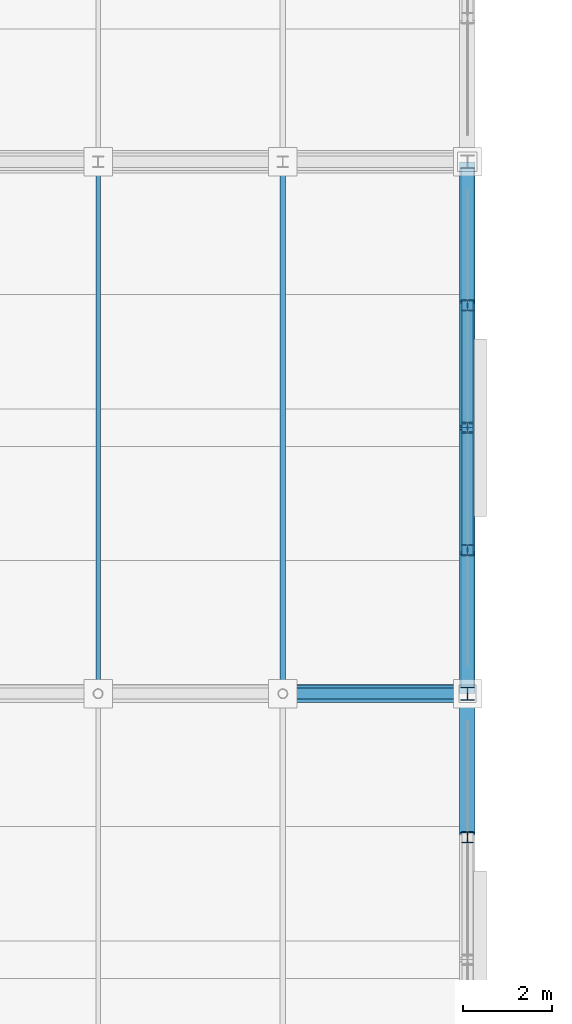
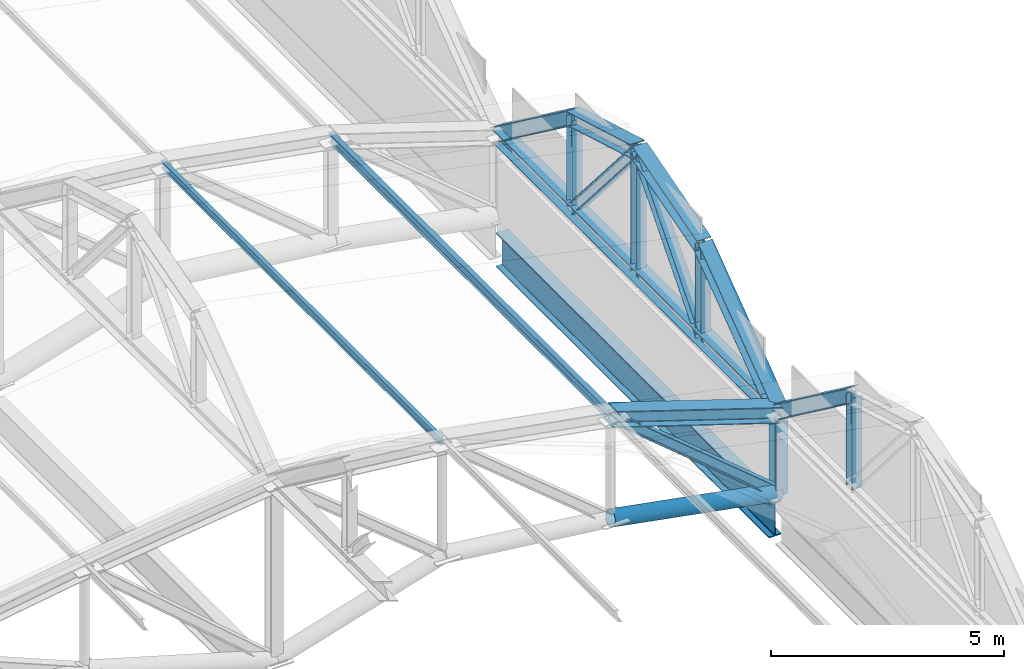
# One storey, part 67 of 117: 18 members, 1 beam.
"""IFC4 building model written with IfcOpenShell, lengths in metres."""

from ifc_helpers import new_model, si_unit, direction, frame, origin, origin_2d, place, context, subcontext, project, spatial, hollow_circle, i_section, extrude, material, material_profile, profile_set, type_object, element, save


model = new_model("IFC4")

# Units and contexts
model_context = context("Model", 3, precision=1e-05, world=origin(), true_north=direction((0.0, 1.0)))
body_context = subcontext(model_context, "Body", "Model", "MODEL_VIEW")
ifc_project = project(units=[si_unit("LENGTHUNIT", "METRE"), si_unit("AREAUNIT", "SQUARE_METRE"), si_unit("VOLUMEUNIT", "CUBIC_METRE"), si_unit("PLANEANGLEUNIT", "RADIAN"), si_unit("MASSUNIT", "GRAM", prefix="KILO")], contexts=[model_context])

# Site, building, storey
site_placement = place(None, origin())
site = spatial("IfcSite", under=ifc_project, at=site_placement, CompositionType="ELEMENT")
building_placement = place(site_placement, origin())
building = spatial("IfcBuilding", under=site, at=building_placement, Name="Kazenohara Klinker Stadium", CompositionType="ELEMENT")
storey_placement = place(building_placement, frame((0.0, 0.0, 31.199951171875)))
storey = spatial("IfcBuildingStorey", under=building, at=storey_placement, Name="RF", CompositionType="ELEMENT", Elevation=31.199951171875)

# Members
ifc_material = material(Name="Steel S355", Category="steel")
ifc_material_profile_1 = material_profile(ifc_material, i_section(OverallWidth=0.25, OverallDepth=0.25, WebThickness=0.009033203125, FlangeThickness=0.013916015625, FilletRadius=0.012939453125, at=origin_2d()), Name="H-250x250x9x14")
ifc_profile_set_1 = profile_set([ifc_material_profile_1], Name="Steel S355")
member_type_1 = type_object("IfcMemberType", Name="MEM-BRC02", PredefinedType="BRACE", material=ifc_profile_set_1)
member_1_placement = place(storey_placement, frame((187.5, 96.0, -0.02001953125), z_axis=(-0.76843159807, 0.0, 0.639931933168), x_axis=(0.0, -1.0, 0.0)))
element("IfcMember", 1, at=member_1_placement, inside=storey, type_object=member_type_1, Name="ROOF TRUSS RT-E05 web diagonal 1", PredefinedType="BRACE", context=body_context, shape_type="SweptSolid", body=[
    extrude(i_section(OverallWidth=0.25, OverallDepth=0.25, WebThickness=0.009033203125, FlangeThickness=0.013916015625, FilletRadius=0.012939453125, at=origin_2d()), origin(), (0.0, 0.0, 1.0), 5.42236328125),
])
ifc_material_profile_2 = material_profile(ifc_material, i_section(OverallWidth=0.39990234375, OverallDepth=0.39990234375, WebThickness=0.012939453125, FlangeThickness=0.02099609375, FilletRadius=0.02197265625, at=origin_2d()), Name="H-400x400x13x21")
ifc_profile_set_2 = profile_set([ifc_material_profile_2], Name="Steel S355")
member_type_2 = type_object("IfcMemberType", Name="MEM-CHD01", PredefinedType="CHORD", material=ifc_profile_set_2)
member_2_placement = place(storey_placement, frame((187.5, 96.0, 2.10009765625), z_axis=(-0.951324890397, 0.0, 0.308189800141), x_axis=(0.0, -1.0, 0.0)))
element("IfcMember", 2, at=member_2_placement, inside=storey, type_object=member_type_2, Name="ROOF TRUSS RT-E05 top arched chord 1", PredefinedType="CHORD", context=body_context, shape_type="SweptSolid", body=[
    extrude(i_section(OverallWidth=0.39990234375, OverallDepth=0.39990234375, WebThickness=0.012939453125, FlangeThickness=0.02099609375, FilletRadius=0.02197265625, at=origin_2d()), origin(), (0.0, 0.0, 1.0), 4.3798828125),
])
ifc_material_profile_3 = material_profile(ifc_material, i_section(OverallWidth=0.35009765625, OverallDepth=0.35009765625, WebThickness=0.011962890625, FlangeThickness=0.01904296875, FilletRadius=0.012939453125, at=origin_2d()), Name="H-350x350x12x19")
ifc_profile_set_3 = profile_set([ifc_material_profile_3], Name="Steel S355")
member_type_3 = type_object("IfcMemberType", Name="MEM-CHD02", PredefinedType="CHORD", material=ifc_profile_set_3)
member_3_placement = place(storey_placement, frame((187.5, 92.760009765625, 4.5), z_axis=(0.0, 0.803567919639, -0.595213069856), x_axis=(-1.0, 0.0, 0.0)))
element("IfcMember", 3, at=member_3_placement, inside=storey, type_object=member_type_3, Name="Barrel arch top rib TC02 E-04-N0-S4", PredefinedType="CHORD", context=body_context, shape_type="SweptSolid", body=[
    extrude(i_section(OverallWidth=0.35009765625, OverallDepth=0.35009765625, WebThickness=0.011962890625, FlangeThickness=0.01904296875, FilletRadius=0.012939453125, at=origin_2d()), origin(), (0.0, 0.0, 1.0), 4.031982421875),
])
member_4_placement = place(storey_placement, frame((187.5, 96.0, 2.10009765625), z_axis=(0.0, 1.0, 0.0), x_axis=(-1.0, 0.0, 0.0)))
element("IfcMember", 4, at=member_4_placement, inside=storey, type_object=member_type_3, Name="Barrel arch tie chord TC02 E-05-N0", PredefinedType="CHORD", context=body_context, shape_type="SweptSolid", body=[
    extrude(i_section(OverallWidth=0.35009765625, OverallDepth=0.35009765625, WebThickness=0.011962890625, FlangeThickness=0.01904296875, FilletRadius=0.012939453125, at=origin_2d()), origin(), (0.0, 0.0, 1.0), 12.0),
])
member_5_placement = place(storey_placement, frame((187.5, 96.0, 2.10009765625), z_axis=(0.0, 0.803567919639, 0.595213069856), x_axis=(-1.0, 0.0, 0.0)))
element("IfcMember", 5, at=member_5_placement, inside=storey, type_object=member_type_3, Name="Barrel arch top rib TC02 E-05-N0-S1", PredefinedType="CHORD", context=body_context, shape_type="SweptSolid", body=[
    extrude(i_section(OverallWidth=0.35009765625, OverallDepth=0.35009765625, WebThickness=0.011962890625, FlangeThickness=0.01904296875, FilletRadius=0.012939453125, at=origin_2d()), origin(), (0.0, 0.0, 1.0), 4.031982421875),
])
for number, where, z_axis, x_axis, name in (
    (6, (187.5, 99.239990234375, 4.5), (0.0, 0.960462085918, 0.27841081429), (-1.0, 0.0, 0.0), "Barrel arch top rib TC02 E-05-N0-S2"),
    (7, (187.5, 102.0, 5.300048828125), (0.0, 0.960462085918, -0.27841081429), (-1.0, 0.0, 0.0), "Barrel arch top rib TC02 E-05-N0-S3"),
):
    element("IfcMember", number, at=place(storey_placement, frame(where, z_axis=z_axis, x_axis=x_axis)), inside=storey, type_object=member_type_3, Name=name, PredefinedType="CHORD", context=body_context, shape_type="SweptSolid", body=[
        extrude(i_section(OverallWidth=0.35009765625, OverallDepth=0.35009765625, WebThickness=0.011962890625, FlangeThickness=0.01904296875, FilletRadius=0.012939453125, at=origin_2d()), origin(), (0.0, 0.0, 1.0), 2.87353515625),
    ])
member_6_placement = place(storey_placement, frame((187.5, 104.760009765625, 4.5), z_axis=(0.0, 0.803567919639, -0.595213069856), x_axis=(-1.0, 0.0, 0.0)))
element("IfcMember", 8, at=member_6_placement, inside=storey, type_object=member_type_3, Name="Barrel arch top rib TC02 E-05-N0-S4", PredefinedType="CHORD", context=body_context, shape_type="SweptSolid", body=[
    extrude(i_section(OverallWidth=0.35009765625, OverallDepth=0.35009765625, WebThickness=0.011962890625, FlangeThickness=0.01904296875, FilletRadius=0.012939453125, at=origin_2d()), origin(), (0.0, 0.0, 1.0), 4.031982421875),
])
ifc_material_profile_4 = material_profile(ifc_material, hollow_circle(Radius=0.203125, WallThickness=0.011962890625, at=origin_2d()), Name="CHS-406.4x12")
ifc_profile_set_4 = profile_set([ifc_material_profile_4], Name="Steel S355")
member_type_4 = type_object("IfcMemberType", Name="MEM-CHD03", PredefinedType="CHORD", material=ifc_profile_set_4)
member_7_placement = place(storey_placement, frame((187.5, 96.0, -0.02001953125), z_axis=(-0.983349564566, 0.0, 0.181724059685), x_axis=(0.0, -1.0, 0.0)))
element("IfcMember", 9, at=member_7_placement, inside=storey, type_object=member_type_4, Name="ROOF TRUSS RT-E05 bottom arched chord 1", PredefinedType="CHORD", context=body_context, shape_type="SweptSolid", body=[
    extrude(hollow_circle(Radius=0.203125, WallThickness=0.011962890625, at=origin_2d()), origin(), (0.0, 0.0, 1.0), 4.2373046875),
])
ifc_material_profile_5 = material_profile(ifc_material, i_section(OverallWidth=0.125, OverallDepth=0.25, WebThickness=0.006103515625, FlangeThickness=0.009033203125, FilletRadius=0.008056640625, at=origin_2d()), Name="H-250x125x6x9")
ifc_profile_set_5 = profile_set([ifc_material_profile_5], Name="Steel S355")
member_type_5 = type_object("IfcMemberType", Name="MEM-PUR01", PredefinedType="PURLIN", material=ifc_profile_set_5)
member_8_placement = place(storey_placement, frame((183.333251953125, 96.0, 3.469970703125), z_axis=(0.0, 1.0, 0.0), x_axis=(-1.0, 0.0, 0.0)))
element("IfcMember", 10, at=member_8_placement, inside=storey, type_object=member_type_5, Name="Canopy valley tie purlin PR01 E-05-N1", PredefinedType="PURLIN", context=body_context, shape_type="SweptSolid", body=[
    extrude(i_section(OverallWidth=0.125, OverallDepth=0.25, WebThickness=0.006103515625, FlangeThickness=0.009033203125, FilletRadius=0.008056640625, at=origin_2d()), origin(), (0.0, 0.0, 1.0), 12.0),
])
ifc_material_profile_6 = material_profile(ifc_material, i_section(OverallWidth=0.10009765625, OverallDepth=0.199951171875, WebThickness=0.005615234375, FlangeThickness=0.008056640625, FilletRadius=0.008056640625, at=origin_2d()), Name="H-200x100x5.5x8")
ifc_profile_set_6 = profile_set([ifc_material_profile_6], Name="Steel S355")
member_type_6 = type_object("IfcMemberType", Name="MEM-PUR02", PredefinedType="PURLIN", material=ifc_profile_set_6)
member_9_placement = place(storey_placement, frame((179.166748046875, 96.0, 4.219970703125), z_axis=(0.0, 1.0, 0.0), x_axis=(-1.0, 0.0, 0.0)))
element("IfcMember", 11, at=member_9_placement, inside=storey, type_object=member_type_6, Name="Canopy valley tie purlin PR02 E-05-N2", PredefinedType="PURLIN", context=body_context, shape_type="SweptSolid", body=[
    extrude(i_section(OverallWidth=0.10009765625, OverallDepth=0.199951171875, WebThickness=0.005615234375, FlangeThickness=0.008056640625, FilletRadius=0.008056640625, at=origin_2d()), origin(), (0.0, 0.0, 1.0), 12.0),
])
ifc_material_profile_7 = material_profile(ifc_material, i_section(OverallWidth=0.300048828125, OverallDepth=0.300048828125, WebThickness=0.010009765625, FlangeThickness=0.014892578125, FilletRadius=0.012939453125, at=origin_2d()), Name="H-300x300x10x15")
ifc_profile_set_7 = profile_set([ifc_material_profile_7], Name="Steel S355")
member_type_7 = type_object("IfcMemberType", Name="MEM-STR01", PredefinedType="STRUT", material=ifc_profile_set_7)
member_10_placement = place(storey_placement, frame((187.5, 96.0, -0.02001953125), z_axis=(0.0, 0.0, 1.0), x_axis=(1.0, 0.0, 0.0)))
element("IfcMember", 12, at=member_10_placement, inside=storey, type_object=member_type_7, Name="ROOF TRUSS RT-E05 web post 1", PredefinedType="STRUT", context=body_context, shape_type="SweptSolid", body=[
    extrude(i_section(OverallWidth=0.300048828125, OverallDepth=0.300048828125, WebThickness=0.010009765625, FlangeThickness=0.014892578125, FilletRadius=0.012939453125, at=origin_2d()), origin(), (0.0, 0.0, 1.0), 2.1201171875),
])
ifc_material_profile_8 = material_profile(ifc_material, i_section(OverallWidth=0.25, OverallDepth=0.25, WebThickness=0.009033203125, FlangeThickness=0.013916015625, FilletRadius=0.012939453125, at=origin_2d()), Name="H-250x250x9x14")
ifc_profile_set_8 = profile_set([ifc_material_profile_8], Name="Steel S355")
member_type_8 = type_object("IfcMemberType", Name="MEM-STR02", PredefinedType="STRUT", material=ifc_profile_set_8)
for number, where, z_axis, x_axis, name in (
    (13, (187.5, 92.760009765625, 2.10009765625), (0.0, 0.0, 1.0), (1.0, 0.0, 0.0), "Barrel arch web post TS02 E-04-N0-P3"),
    (14, (187.5, 99.239990234375, 2.10009765625), (0.0, 0.0, 1.0), (1.0, 0.0, 0.0), "Barrel arch web post TS02 E-05-N0-P1"),
):
    element("IfcMember", number, at=place(storey_placement, frame(where, z_axis=z_axis, x_axis=x_axis)), inside=storey, type_object=member_type_8, Name=name, PredefinedType="STRUT", context=body_context, shape_type="SweptSolid", body=[
        extrude(i_section(OverallWidth=0.25, OverallDepth=0.25, WebThickness=0.009033203125, FlangeThickness=0.013916015625, FilletRadius=0.012939453125, at=origin_2d()), origin(), (0.0, 0.0, 1.0), 2.39990234375),
    ])
member_11_placement = place(storey_placement, frame((187.5, 102.0, 2.10009765625), z_axis=(0.0, 0.0, 1.0), x_axis=(1.0, 0.0, 0.0)))
element("IfcMember", 15, at=member_11_placement, inside=storey, type_object=member_type_8, Name="Barrel arch web post TS02 E-05-N0-P2", PredefinedType="STRUT", context=body_context, shape_type="SweptSolid", body=[
    extrude(i_section(OverallWidth=0.25, OverallDepth=0.25, WebThickness=0.009033203125, FlangeThickness=0.013916015625, FilletRadius=0.012939453125, at=origin_2d()), origin(), (0.0, 0.0, 1.0), 3.199951171875),
])
member_12_placement = place(storey_placement, frame((187.5, 104.760009765625, 2.10009765625), z_axis=(0.0, 0.0, 1.0), x_axis=(1.0, 0.0, 0.0)))
element("IfcMember", 16, at=member_12_placement, inside=storey, type_object=member_type_8, Name="Barrel arch web post TS02 E-05-N0-P3", PredefinedType="STRUT", context=body_context, shape_type="SweptSolid", body=[
    extrude(i_section(OverallWidth=0.25, OverallDepth=0.25, WebThickness=0.009033203125, FlangeThickness=0.013916015625, FilletRadius=0.012939453125, at=origin_2d()), origin(), (0.0, 0.0, 1.0), 2.39990234375),
])
for number, where, z_axis, x_axis, name in (
    (17, (187.5, 99.239990234375, 2.10009765625), (0.0, 0.653133887971, 0.757242447558), (-1.0, 0.0, 0.0), "Barrel arch web diagonal TS02 E-05-N0-D1"),
    (18, (187.5, 104.760009765625, 2.10009765625), (0.0, -0.653133887971, 0.757242447558), (1.0, 0.0, 0.0), "Barrel arch web diagonal TS02 E-05-N0-D2"),
):
    element("IfcMember", number, at=place(storey_placement, frame(where, z_axis=z_axis, x_axis=x_axis)), inside=storey, type_object=member_type_8, Name=name, PredefinedType="STRUT", context=body_context, shape_type="SweptSolid", body=[
        extrude(i_section(OverallWidth=0.25, OverallDepth=0.25, WebThickness=0.009033203125, FlangeThickness=0.013916015625, FilletRadius=0.012939453125, at=origin_2d()), origin(), (0.0, 0.0, 1.0), 4.225830078125),
    ])

# Beam
ifc_material_profile_9 = material_profile(ifc_material, i_section(OverallWidth=0.300048828125, OverallDepth=0.89990234375, WebThickness=0.01611328125, FlangeThickness=0.028076171875, FilletRadius=0.02197265625, at=origin_2d()), Name="H-900x300x16x28")
ifc_profile_set_9 = profile_set([ifc_material_profile_9], Name="Steel S355")
beam_type = type_object("IfcBeamType", Name="RING-RB01", PredefinedType="USERDEFINED", material=ifc_profile_set_9)
beam_placement = place(storey_placement, frame((187.5, 96.139892578125, -0.820068359375), z_axis=(0.0, 1.0, 0.0), x_axis=(-1.0, 0.0, 0.0)))
element("IfcBeam", 19, at=beam_placement, inside=storey, type_object=beam_type, Name="Roof ring beam RB01 E-OUT J-K", ObjectType="RING BEAM", PredefinedType="USERDEFINED", context=body_context, shape_type="SweptSolid", body=[
    extrude(i_section(OverallWidth=0.300048828125, OverallDepth=0.89990234375, WebThickness=0.01611328125, FlangeThickness=0.028076171875, FilletRadius=0.02197265625, at=origin_2d()), origin(), (0.0, 0.0, 1.0), 11.72021484375),
])

save(model, "model.ifc")
